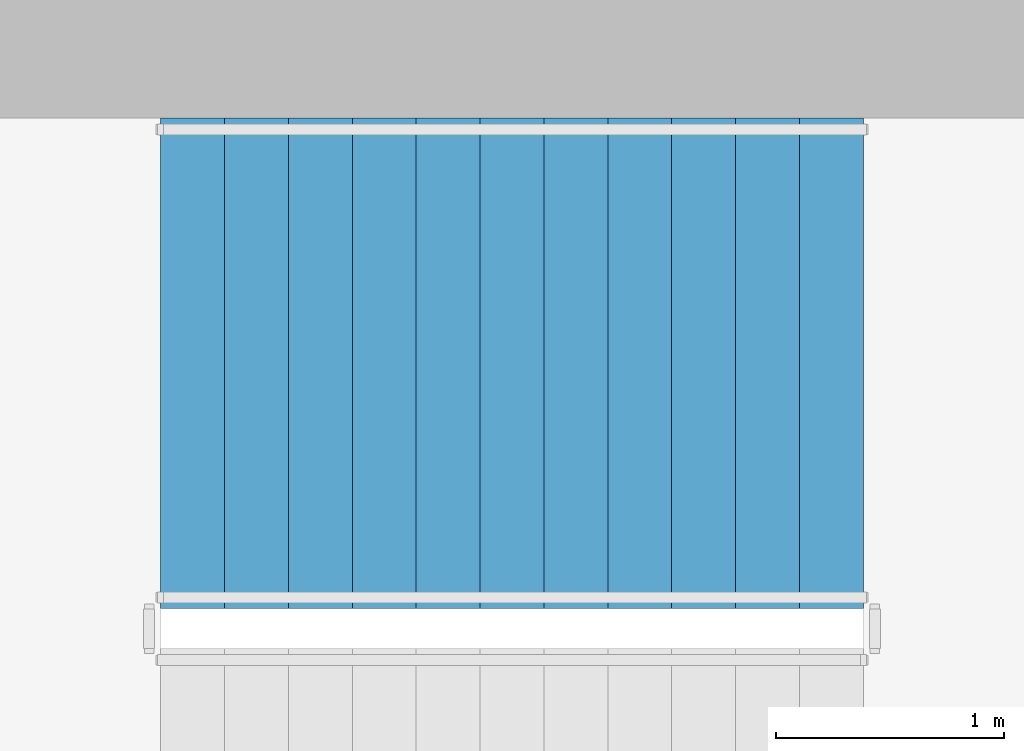
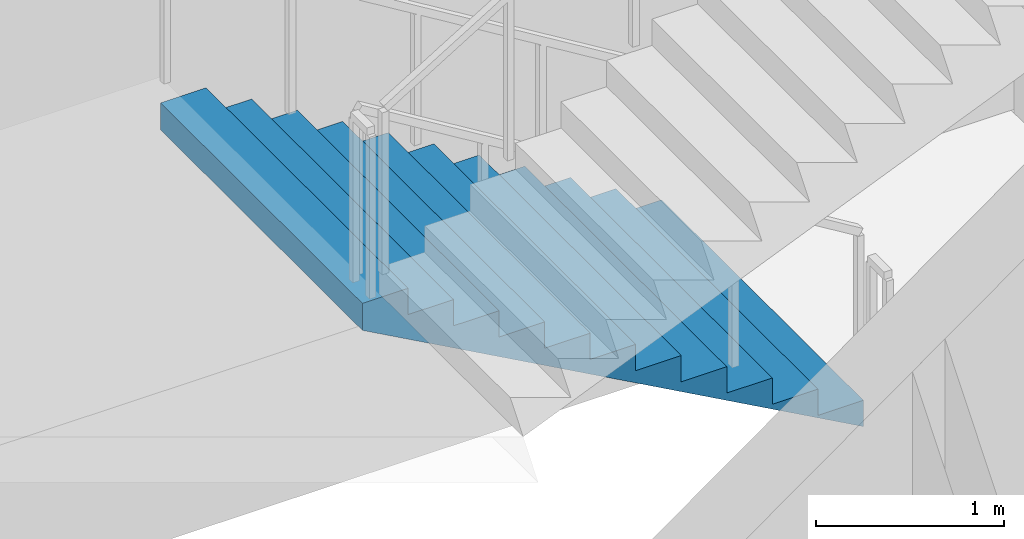
# One storey, part 8 of 14: 1 stair flight, 1 element without a shape of its own.
"""IFC4 building model written with IfcOpenShell, lengths in metres."""

from ifc_helpers import new_model, si_unit, direction, frame, origin, place, context, subcontext, project, spatial, triangles, material, type_object, element, aggregate, save


model = new_model("IFC4")

# Units and contexts
model_context = context("Model", 3, precision=1e-05, world=origin(), true_north=direction((0.0, 1.0)))
body_context = subcontext(model_context, "Body", "Model", "MODEL_VIEW")
ifc_project = project(units=[si_unit("LENGTHUNIT", "METRE"), si_unit("AREAUNIT", "SQUARE_METRE"), si_unit("VOLUMEUNIT", "CUBIC_METRE"), si_unit("PLANEANGLEUNIT", "RADIAN"), si_unit("MASSUNIT", "GRAM", prefix="KILO")], contexts=[model_context])

# Site, building, storey
site_placement = place(None, origin())
site = spatial("IfcSite", under=ifc_project, at=site_placement, CompositionType="ELEMENT")
building_placement = place(site_placement, origin())
building = spatial("IfcBuilding", under=site, at=building_placement, Name="Cypress Arch Tower", CompositionType="ELEMENT")
storey_placement = place(building_placement, frame((0.0, 0.0, 222.0)))
storey = spatial("IfcBuildingStorey", under=building, at=storey_placement, Name="L49", CompositionType="ELEMENT", Elevation=222.0)

# Stair, stair flight
ifc_material_1 = material(Name="Concrete C40/50", Category="concrete")
stair_type = type_object("IfcStairType", Name="Exit stair ES1708-215", PredefinedType="HALF_TURN_STAIR", material=ifc_material_1)
stair_placement = place(storey_placement, origin())
stair = element("IfcStair", 1, at=stair_placement, inside=storey, type_object=stair_type, Name="L49 Exit stair B", PredefinedType="HALF_TURN_STAIR")
ifc_material_2 = material(Name="Concrete C40/50", Category="concrete")
stair_flight_type = type_object("IfcStairFlightType", Name="Exit stair flight ES1708-215", PredefinedType="STRAIGHT", material=ifc_material_2)
stair_flight_placement = place(storey_placement, frame((-22.27490234375, 13.72509765625, 0.0), z_axis=(0.0, 0.0, 1.0), x_axis=(-1.0, 0.0, 0.0)))
stair_flight = element("IfcStairFlight", 2, at=stair_flight_placement, type_object=stair_flight_type, Name="B flight 1", NumberOfRisers=12, NumberOfTreads=11, PredefinedType="STRAIGHT", RiserHeight=0.170833333, TreadLength=0.28, context=body_context, shape_type="Tessellation", body=[
    triangles([(0.0, -1.074951171875, 0.0), (0.000244140625, -1.074951171875, 0.01904296875), (0.000244140625, -1.074951171875, 0.0380859375), (0.00048828125, -1.074951171875, 0.056884765625), (0.00048828125, -1.074951171875, 0.075927734375), (0.00048828125, -1.074951171875, 0.094970703125), (0.00048828125, -1.074951171875, 0.114013671875), (0.000244140625, -1.074951171875, 0.1328125), (0.000244140625, -1.074951171875, 0.15185546875), (0.0, -1.074951171875, 0.1708984375), (0.280029296875, -1.074951171875, 0.1708984375), (0.280029296875, -1.074951171875, 0.341552734375), (0.56005859375, -1.074951171875, 0.341552734375), (0.56005859375, -1.074951171875, 0.512451171875), (0.840087890625, -1.074951171875, 0.512451171875), (0.840087890625, -1.074951171875, 0.683349609375), (1.1201171875, -1.074951171875, 0.683349609375), (1.1201171875, -1.074951171875, 0.854248046875), (1.39990234375, -1.074951171875, 0.854248046875), (1.39990234375, -1.074951171875, 1.02490234375), (1.679931640625, -1.074951171875, 1.02490234375), (1.679931640625, -1.074951171875, 1.19580078125), (1.9599609375, -1.074951171875, 1.19580078125), (1.9599609375, -1.074951171875, 1.36669921875), (2.239990234375, -1.074951171875, 1.36669921875), (2.239990234375, -1.074951171875, 1.53759765625), (2.52001953125, -1.074951171875, 1.53759765625), (2.52001953125, -1.074951171875, 1.708251953125), (2.800048828125, -1.074951171875, 1.708251953125), (2.800048828125, -1.074951171875, 1.879150390625), (3.080078125, -1.074951171875, 1.879150390625), (3.079833984375, -1.074951171875, 1.859619140625), (3.079833984375, -1.074951171875, 1.840087890625), (3.07958984375, -1.074951171875, 1.820556640625), (3.07958984375, -1.074951171875, 1.801025390625), (3.07958984375, -1.074951171875, 1.78173828125), (3.07958984375, -1.074951171875, 1.76220703125), (3.079833984375, -1.074951171875, 1.74267578125), (3.079833984375, -1.074951171875, 1.72314453125), (3.080078125, -1.074951171875, 1.70361328125), (3.080078125, 1.074951171875, 1.70361328125), (3.079833984375, 1.074951171875, 1.72314453125), (3.079833984375, 1.074951171875, 1.74267578125), (3.07958984375, 1.074951171875, 1.76220703125), (3.07958984375, 1.074951171875, 1.78173828125), (3.07958984375, 1.074951171875, 1.801025390625), (3.07958984375, 1.074951171875, 1.820556640625), (3.079833984375, 1.074951171875, 1.840087890625), (3.079833984375, 1.074951171875, 1.859619140625), (3.080078125, 1.074951171875, 1.879150390625), (2.800048828125, 1.074951171875, 1.879150390625), (2.800048828125, 1.074951171875, 1.708251953125), (2.52001953125, 1.074951171875, 1.708251953125), (2.52001953125, 1.074951171875, 1.53759765625), (2.239990234375, 1.074951171875, 1.53759765625), (2.239990234375, 1.074951171875, 1.36669921875), (1.9599609375, 1.074951171875, 1.36669921875), (1.9599609375, 1.074951171875, 1.19580078125), (1.679931640625, 1.074951171875, 1.19580078125), (1.679931640625, 1.074951171875, 1.02490234375), (1.39990234375, 1.074951171875, 1.02490234375), (1.39990234375, 1.074951171875, 0.854248046875), (1.1201171875, 1.074951171875, 0.854248046875), (1.1201171875, 1.074951171875, 0.683349609375), (0.840087890625, 1.074951171875, 0.683349609375), (0.840087890625, 1.074951171875, 0.512451171875), (0.56005859375, 1.074951171875, 0.512451171875), (0.56005859375, 1.074951171875, 0.341552734375), (0.280029296875, 1.074951171875, 0.341552734375), (0.280029296875, 1.074951171875, 0.1708984375), (0.0, 1.074951171875, 0.1708984375), (0.000244140625, 1.074951171875, 0.15185546875), (0.000244140625, 1.074951171875, 0.1328125), (0.00048828125, 1.074951171875, 0.114013671875), (0.00048828125, 1.074951171875, 0.094970703125), (0.00048828125, 1.074951171875, 0.075927734375), (0.00048828125, 1.074951171875, 0.056884765625), (0.000244140625, 1.074951171875, 0.0380859375), (0.000244140625, 1.074951171875, 0.01904296875), (0.0, 1.074951171875, 0.0)], [[40, 39, 30], [39, 38, 30], [38, 37, 30], [37, 36, 30], [36, 35, 30], [35, 34, 30], [34, 33, 30], [33, 32, 30], [32, 31, 30], [19, 18, 17], [27, 26, 25], [25, 24, 23], [23, 22, 21], [17, 16, 15], [15, 14, 13], [10, 9, 11], [9, 8, 11], [8, 7, 11], [7, 6, 11], [6, 5, 11], [5, 4, 11], [4, 3, 11], [3, 2, 11], [2, 1, 11], [29, 28, 27], [21, 20, 19], [13, 12, 11], [40, 30, 29], [40, 29, 27], [40, 27, 25], [40, 25, 23], [40, 23, 21], [40, 21, 19], [40, 19, 17], [40, 17, 15], [40, 15, 13], [1, 40, 13], [13, 11, 1], [41, 51, 42], [42, 51, 43], [43, 51, 44], [44, 51, 45], [45, 51, 46], [46, 51, 47], [47, 51, 48], [48, 51, 49], [49, 51, 50], [62, 64, 63], [54, 56, 55], [56, 58, 57], [58, 60, 59], [64, 66, 65], [66, 68, 67], [71, 70, 72], [72, 70, 73], [73, 70, 74], [74, 70, 75], [75, 70, 76], [76, 70, 77], [77, 70, 78], [78, 70, 79], [79, 70, 80], [52, 54, 53], [60, 62, 61], [68, 70, 69], [41, 52, 51], [41, 54, 52], [41, 56, 54], [41, 58, 56], [41, 60, 58], [41, 62, 60], [41, 64, 62], [41, 66, 64], [41, 68, 66], [80, 68, 41], [68, 80, 70], [41, 42, 39], [41, 39, 40], [42, 43, 38], [42, 38, 39], [43, 44, 37], [43, 37, 38], [44, 45, 36], [44, 36, 37], [45, 46, 35], [45, 35, 36], [46, 47, 34], [46, 34, 35], [47, 48, 33], [47, 33, 34], [48, 49, 32], [48, 32, 33], [49, 50, 31], [49, 31, 32], [50, 51, 30], [50, 30, 31], [51, 52, 29], [51, 29, 30], [52, 53, 28], [52, 28, 29], [53, 54, 27], [53, 27, 28], [54, 55, 26], [54, 26, 27], [55, 56, 25], [55, 25, 26], [56, 57, 24], [56, 24, 25], [57, 58, 23], [57, 23, 24], [58, 59, 22], [58, 22, 23], [59, 60, 21], [59, 21, 22], [60, 61, 20], [60, 20, 21], [61, 62, 19], [61, 19, 20], [62, 63, 18], [62, 18, 19], [63, 64, 17], [63, 17, 18], [64, 65, 16], [64, 16, 17], [65, 66, 15], [65, 15, 16], [66, 67, 14], [66, 14, 15], [67, 68, 13], [67, 13, 14], [68, 69, 12], [68, 12, 13], [69, 70, 11], [69, 11, 12], [70, 71, 10], [70, 10, 11], [71, 72, 9], [71, 9, 10], [72, 73, 8], [72, 8, 9], [73, 74, 7], [73, 7, 8], [74, 75, 6], [74, 6, 7], [75, 76, 5], [75, 5, 6], [76, 77, 4], [76, 4, 5], [77, 78, 3], [77, 3, 4], [78, 79, 2], [78, 2, 3], [79, 80, 1], [79, 1, 2], [80, 41, 40], [80, 40, 1]], closed=True),
])
aggregate(stair, [stair_flight])

save(model, "model.ifc")
